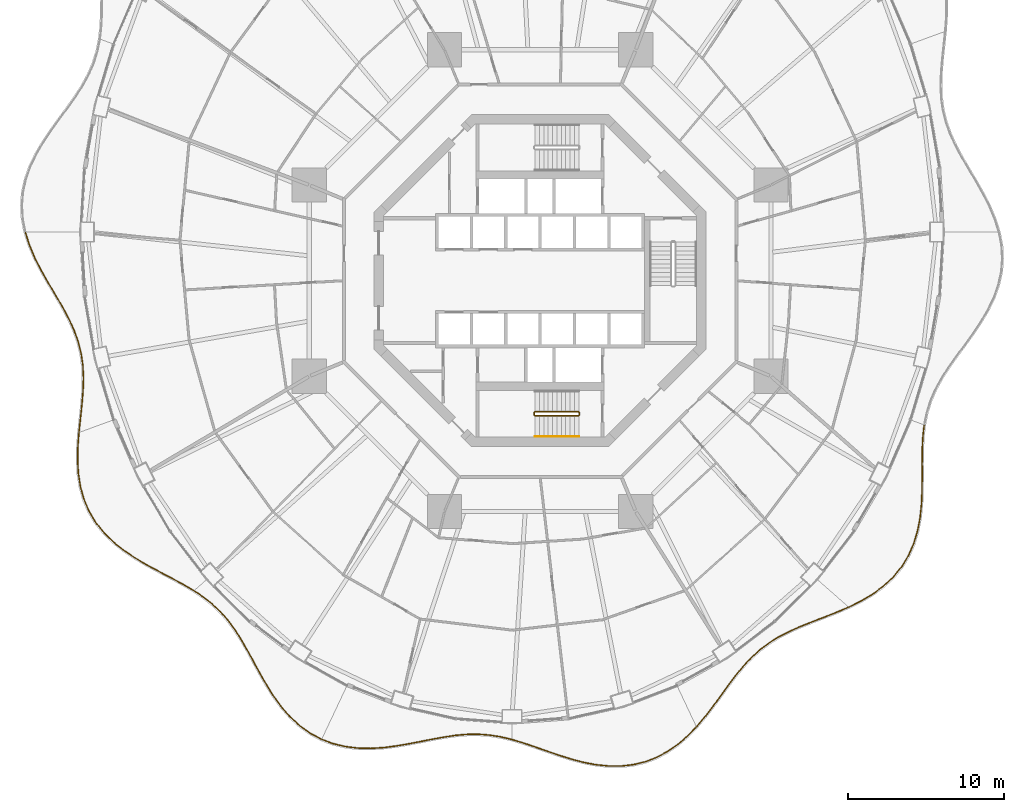
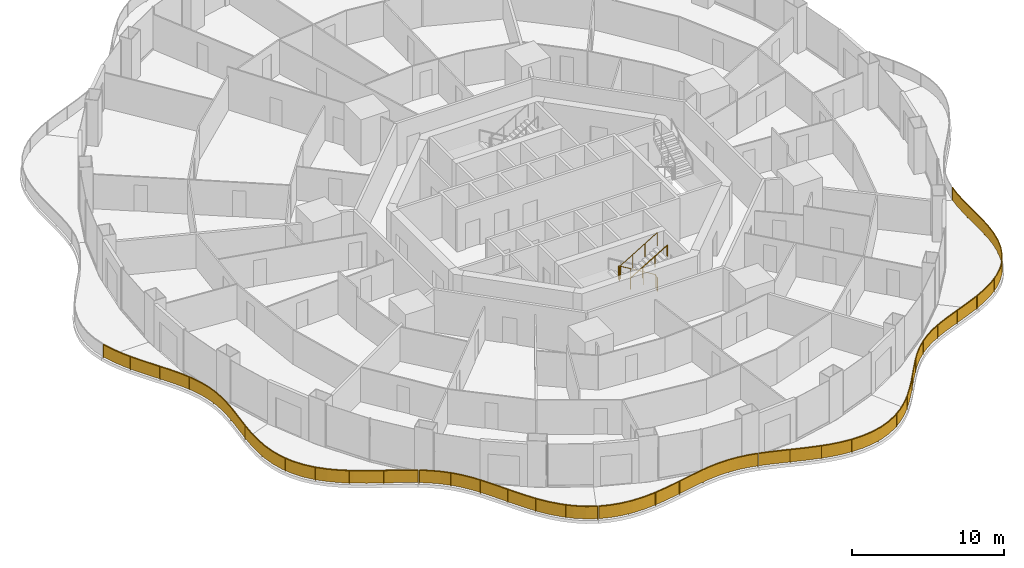
# One storey, part 20 of 22: 9 railings.
"""IFC4 building model written with IfcOpenShell, lengths in metres."""

import ifcopenshell
import ifcopenshell.guid

model = None  # the IFC model being written
_history = None  # IfcOwnerHistory: only IFC2X3 demands one
_inside = {}  # id of a spatial element -> (the spatial element, [elements in it])
_under = {}  # id of a project, library or spatial element -> (it, [spatial elements below it])
_declared = {}  # id of a project -> (the project, [libraries it declares])
_typed = {}  # id of a type object -> (the type object, [elements of that type])
_made_of = {}  # id of a material, layer set ... -> (it, [elements and type objects made of it])


def new_model(schema):
    """Start an empty IFC model of exactly this schema.

    Asked for "IFC4X3", IfcOpenShell would pick the latest addendum, in which some entities
    have other attributes; the version numbers below select the first issue.
    IFC2X3 requires an IfcOwnerHistory on every rooted entity: one is made here for all.
    """
    global model, _history
    if schema == "IFC4X3":
        model = ifcopenshell.file(schema_version=(4, 3, 0, 0))
    else:
        model = ifcopenshell.file(schema=schema)
    _inside.clear()
    _under.clear()
    _declared.clear()
    _typed.clear()
    _made_of.clear()
    _history = None
    if model.schema == "IFC2X3":
        org = make("IfcOrganization", Name="unknown")
        user = make(
            "IfcPersonAndOrganization",
            ThePerson=make("IfcPerson", FamilyName="unknown"),
            TheOrganization=org,
        )
        app = make(
            "IfcApplication",
            ApplicationDeveloper=org,
            Version="unknown",
            ApplicationFullName="unknown",
            ApplicationIdentifier="unknown",
        )
        _history = make(
            "IfcOwnerHistory",
            OwningUser=user,
            OwningApplication=app,
            ChangeAction="ADDED",
            CreationDate=0,
        )
    return model


def make(cls, **values):
    """One entity of the class cls with the attributes given. An attribute that is None is left unset."""
    return model.create_entity(
        cls, **{name: value for name, value in values.items() if value is not None}
    )


def rooted(cls, **values):
    """An entity with a GlobalId (a new one), such as an element, a storey or a relation."""
    return make(cls, GlobalId=ifcopenshell.guid.new(), OwnerHistory=_history, **values)


def si_unit(unit_type, name, prefix=None):
    """IfcSIUnit, for example si_unit("LENGTHUNIT", "METRE", prefix="MILLI")."""
    return make("IfcSIUnit", UnitType=unit_type, Prefix=prefix, Name=name)


def assignment(units):
    """IfcUnitAssignment: the units of a project."""
    return None if units is None else make("IfcUnitAssignment", Units=units)


def point(xyz):
    """IfcCartesianPoint."""
    return None if xyz is None else make("IfcCartesianPoint", Coordinates=xyz)


def direction(xyz):
    """IfcDirection."""
    return None if xyz is None else make("IfcDirection", DirectionRatios=xyz)


def frame(location, z_axis=None, x_axis=None):
    """IfcAxis2Placement3D, a coordinate frame: its origin and axes. An axis left out is left unset."""
    return make(
        "IfcAxis2Placement3D",
        Location=point(location),
        Axis=direction(z_axis),
        RefDirection=direction(x_axis),
    )


def frame_2d(location, x_axis=None):
    """IfcAxis2Placement2D, a coordinate frame in the plane: its origin and x axis."""
    return make(
        "IfcAxis2Placement2D", Location=point(location), RefDirection=direction(x_axis)
    )


def origin():
    """The frame at (0, 0, 0) with its axes left unset."""
    return frame((0.0, 0.0, 0.0))


def origin_2d():
    """The frame at (0, 0) in the plane with its x axis left unset."""
    return frame_2d((0.0, 0.0))


def place(relative_to, where):
    """IfcLocalPlacement: puts the frame where relative to a parent placement (None: the world)."""
    return make(
        "IfcLocalPlacement", PlacementRelTo=relative_to, RelativePlacement=where
    )


def context(
    kind, dimensions, precision=None, world=None, true_north=None, identifier=None
):
    """IfcGeometricRepresentationContext, for example the 3D "Model" context."""
    return make(
        "IfcGeometricRepresentationContext",
        ContextIdentifier=identifier,
        ContextType=kind,
        CoordinateSpaceDimension=dimensions,
        Precision=precision,
        WorldCoordinateSystem=world,
        TrueNorth=true_north,
    )


def subcontext(parent, identifier, kind, view, scale=None):
    """IfcGeometricRepresentationSubContext, for example "Body" below "Model"."""
    return make(
        "IfcGeometricRepresentationSubContext",
        ContextIdentifier=identifier,
        ContextType=kind,
        ParentContext=parent,
        TargetScale=scale,
        TargetView=view,
    )


def project(units=None, contexts=None):
    """IfcProject with its units and contexts."""
    return rooted(
        "IfcProject",
        Name="project",
        RepresentationContexts=contexts,
        UnitsInContext=assignment(units),
    )


def spatial(cls, under=None, at=None, **own):
    """A site, building, storey or space (cls), placed at a placement, below another one or the project."""
    s = rooted(cls, ObjectPlacement=at, **own)
    if under is not None:
        _under.setdefault(under.id(), (under, []))[1].append(s)
    return s


def polyline(points):
    """IfcPolyline through the points."""
    return make("IfcPolyline", Points=[point(p) for p in points])


def profile(cls, at=None, kind="AREA", **sizes):
    """A parametric profile (cls). Its sizes go by their IFC names, for example OverallWidth=200.0."""
    return make(cls, ProfileType=kind, Position=at, **sizes)


def rectangle(**sizes):
    """IfcRectangleProfileDef."""
    return profile("IfcRectangleProfileDef", **sizes)


def circle(**sizes):
    """IfcCircleProfileDef."""
    return profile("IfcCircleProfileDef", **sizes)


def outline(outer, holes=None, kind="AREA"):
    """IfcArbitraryClosedProfileDef: a profile drawn as a closed curve; with holes, ...WithVoids."""
    if holes is None:
        return make("IfcArbitraryClosedProfileDef", ProfileType=kind, OuterCurve=outer)
    return make(
        "IfcArbitraryProfileDefWithVoids",
        ProfileType=kind,
        OuterCurve=outer,
        InnerCurves=holes,
    )


def extrude(swept, where, along, depth):
    """IfcExtrudedAreaSolid: the profile swept, set in the frame where, extruded along a direction by depth."""
    return make(
        "IfcExtrudedAreaSolid",
        SweptArea=swept,
        Position=where,
        ExtrudedDirection=direction(along),
        Depth=depth,
    )


def shape(context_of_items, identifier, shape_type, items):
    """IfcShapeRepresentation: the items that make up one representation, for example the "Body"."""
    return make(
        "IfcShapeRepresentation",
        ContextOfItems=context_of_items,
        RepresentationIdentifier=identifier,
        RepresentationType=shape_type,
        Items=items,
    )


def material(Name=None, Category=None):
    """IfcMaterial."""
    return make("IfcMaterial", Name=Name, Category=Category)


def made_of(thing, what):
    """Note that an element or type object is made of a material, layer set ...; save() writes the relation."""
    if what is not None:
        _made_of.setdefault(what.id(), (what, []))[1].append(thing)
    return thing


def type_object(cls, material=None, **own):
    """A type object (cls), such as IfcWallType, which elements share."""
    return made_of(rooted(cls, **own), material)


def element(
    cls,
    number,
    at=None,
    inside=None,
    cuts=None,
    type_object=None,
    material=None,
    context=None,
    identifier="Body",
    shape_type=None,
    held_by="IfcProductDefinitionShape",
    body=None,
    shapes=None,
    **own,
):
    """One element of the class cls, such as IfcWall. Its Tag is "e" and its number.

    at: its placement. inside: the storey or other place that contains it. cuts: it is an
    opening in that element (IfcRelVoidsElement). A single representation is given by context,
    identifier, shape_type and body (its items); several are given by shapes. held_by: the class
    of the entity that holds the representations. save() writes the other relations.
    """
    e = rooted(cls, Tag="e%d" % number, ObjectPlacement=at, **own)
    if body is not None:
        shapes = [shape(context, identifier, shape_type, body)]
    if shapes is not None:
        e.Representation = make(held_by, Representations=shapes)
    if inside is not None:
        _inside.setdefault(inside.id(), (inside, []))[1].append(e)
    if cuts is not None:
        rooted(
            "IfcRelVoidsElement", RelatingBuildingElement=cuts, RelatedOpeningElement=e
        )
    if type_object is not None:
        _typed.setdefault(type_object.id(), (type_object, []))[1].append(e)
    return made_of(e, material)


def aggregate(whole, parts):
    """IfcRelAggregates: a whole, such as a stair, and the parts it consists of."""
    return rooted("IfcRelAggregates", RelatingObject=whole, RelatedObjects=parts)


def save(model, path):
    """Write the relations noted so far, then the file.

    IfcRelAggregates (storeys below a building ...), IfcRelContainedInSpatialStructure (elements
    in a storey), IfcRelDefinesByType, IfcRelAssociatesMaterial and IfcRelDeclares: one each for
    every whole, place, type object, material and project.
    """
    for whole, parts in _under.values():
        aggregate(whole, parts)
    for where, things in _inside.values():
        rooted(
            "IfcRelContainedInSpatialStructure",
            RelatedElements=things,
            RelatingStructure=where,
        )
    for kind, things in _typed.values():
        rooted("IfcRelDefinesByType", RelatedObjects=things, RelatingType=kind)
    for what, things in _made_of.values():
        rooted("IfcRelAssociatesMaterial", RelatedObjects=things, RelatingMaterial=what)
    for by, libraries in _declared.values():
        rooted("IfcRelDeclares", RelatingContext=by, RelatedDefinitions=libraries)
    model.write(path)


model = new_model("IFC4")

# Units and contexts
model_context = context("Model", 3, precision=1e-05, world=origin(), true_north=direction((0.0, 1.0)))
body_context = subcontext(model_context, "Body", "Model", "MODEL_VIEW")
ifc_project = project(units=[si_unit("LENGTHUNIT", "METRE"), si_unit("AREAUNIT", "SQUARE_METRE"), si_unit("VOLUMEUNIT", "CUBIC_METRE"), si_unit("PLANEANGLEUNIT", "RADIAN"), si_unit("MASSUNIT", "GRAM", prefix="KILO")], contexts=[model_context])

# Site, building, storey
site_placement = place(None, origin())
site = spatial("IfcSite", under=ifc_project, at=site_placement, CompositionType="ELEMENT")
building_placement = place(site_placement, origin())
building = spatial("IfcBuilding", under=site, at=building_placement, Name="Nagisa Residences", CompositionType="ELEMENT")
storey_placement = place(building_placement, frame((0.0, 0.0, 88.10009765625)))
storey = spatial("IfcBuildingStorey", under=building, at=storey_placement, Name="L21", CompositionType="ELEMENT", Elevation=88.10009765625)

# Railings
ifc_material_1 = material(Name="Stainless steel 316", Category="steel")
railing_type_1 = type_object("IfcRailingType", Name="BALCONY GUARD 1100", PredefinedType="BALUSTRADE", material=ifc_material_1)
railing_1_placement = place(storey_placement, frame((-32.95654296875, 3.080810546875, 0.0)))
element("IfcRailing", 1, at=railing_1_placement, inside=storey, type_object=railing_type_1, Name="guard:L21:bal08-0", PredefinedType="BALUSTRADE", context=body_context, shape_type="SweptSolid", body=[
    extrude(outline(polyline([(0.277099609375, -0.7880859375), (0.02392578125, 0.007568359375), (-0.02392578125, -0.007568359375), (0.230224609375, -0.8056640625), (0.58056640625, -1.6337890625), (0.99267578125, -2.444091796875), (1.44091796875, -3.23486328125), (1.89892578125, -4.00830078125), (2.339111328125, -4.7529296875), (2.741455078125, -5.502197265625), (3.085205078125, -6.248291015625), (3.3564453125, -6.998779296875), (3.547607421875, -7.76123046875), (3.65478515625, -8.528564453125), (3.690673828125, -9.333740234375), (3.6640625, -10.16552734375), (3.592529296875, -11.024169921875), (3.497802734375, -11.90673828125), (3.4072265625, -12.762451171875), (3.45703125, -12.767822265625), (3.547607421875, -11.912109375), (3.642333984375, -11.029052734375), (3.7138671875, -10.16845703125), (3.740966796875, -9.333251953125), (3.70458984375, -8.524169921875), (3.596923828125, -7.75146484375), (3.404296875, -6.984130859375), (3.131591796875, -6.229248046875), (2.786376953125, -5.479736328125), (2.382568359375, -4.728515625), (1.94189453125, -3.98291015625), (1.484375, -3.2099609375), (1.03662109375, -2.420166015625), (0.6259765625, -1.61279296875), (0.277099609375, -0.7880859375)])), frame((0.0, 0.0, 1.050048828125)), (0.0, 0.0, 1.0), 0.050048828125),
    extrude(outline(polyline([(0.26025390625, -0.79443359375), (0.006591796875, 0.002197265625), (-0.006591796875, -0.002197265625), (0.2470703125, -0.79931640625), (0.596923828125, -1.626220703125), (1.008544921875, -2.435546875), (1.45654296875, -3.225830078125), (1.914306640625, -3.999267578125), (2.354736328125, -4.744140625), (2.757568359375, -5.494140625), (3.101806640625, -6.241455078125), (3.373779296875, -6.993408203125), (3.5654296875, -7.757568359375), (3.672607421875, -8.527099609375), (3.708740234375, -9.33349609375), (3.681884765625, -10.16650390625), (3.6103515625, -11.02587890625), (3.515625, -11.90869140625), (3.425048828125, -12.764404296875), (3.439208984375, -12.765869140625), (3.52978515625, -11.91015625), (3.62451171875, -11.02734375), (3.696044921875, -10.16748046875), (3.722900390625, -9.33349609375), (3.686767578125, -8.525634765625), (3.5791015625, -7.755126953125), (3.386962890625, -6.989501953125), (3.114990234375, -6.236083984375), (2.770263671875, -5.48779296875), (2.366943359375, -4.7373046875), (1.926513671875, -3.991943359375), (1.46875, -3.218994140625), (1.020751953125, -2.4287109375), (0.609619140625, -1.620361328125), (0.26025390625, -0.79443359375)])), frame((0.0, 0.0, 0.06005859375)), (0.0, 0.0, 1.0), 0.989990234375),
    extrude(rectangle(XDim=0.0400390625, YDim=0.0400390625, at=origin_2d()), origin(), (0.0, 0.0, 1.0), 1.050048828125),
    extrude(rectangle(XDim=0.0400390625, YDim=0.0400390625, at=origin_2d()), frame((0.845458984375, -2.099609375, 0.0)), (0.0, 0.0, 1.0), 1.050048828125),
    extrude(rectangle(XDim=0.0400390625, YDim=0.0400390625, at=origin_2d()), frame((1.965087890625, -4.0712890625, 0.0)), (0.0, 0.0, 1.0), 1.050048828125),
    extrude(rectangle(XDim=0.0400390625, YDim=0.0400390625, at=origin_2d()), frame((3.03125, -6.071044921875, 0.0)), (0.0, 0.0, 1.0), 1.050048828125),
    extrude(rectangle(XDim=0.0400390625, YDim=0.0400390625, at=origin_2d()), frame((3.640625, -8.24609375, 0.0)), (0.0, 0.0, 1.0), 1.050048828125),
    extrude(rectangle(XDim=0.0400390625, YDim=0.0400390625, at=origin_2d()), frame((3.660400390625, -10.5087890625, 0.0)), (0.0, 0.0, 1.0), 1.050048828125),
    extrude(rectangle(XDim=0.0400390625, YDim=0.0400390625, at=origin_2d()), frame((3.43212890625, -12.76513671875, 0.0)), (0.0, 0.0, 1.0), 1.050048828125),
])
railing_2_placement = place(storey_placement, frame((-29.53271484375, -9.760498046875, 0.0)))
element("IfcRailing", 2, at=railing_2_placement, inside=storey, type_object=railing_type_1, Name="guard:L21:bal09-0", PredefinedType="BALUSTRADE", context=body_context, shape_type="SweptSolid", body=[
    extrude(outline(polyline([(-0.039306640625, -0.837890625), (0.02490234375, -0.001953125), (-0.02490234375, 0.001953125), (-0.089111328125, -0.83544921875), (-0.107421875, -1.717529296875), (-0.058349609375, -2.58837890625), (0.073974609375, -3.436767578125), (0.30078125, -4.2509765625), (0.621826171875, -5.00830078125), (1.05078125, -5.727294921875), (1.575927734375, -6.389404296875), (2.1865234375, -6.992431640625), (2.867431640625, -7.53857421875), (3.593017578125, -8.020751953125), (4.359130859375, -8.472900390625), (5.137451171875, -8.89453125), (5.907958984375, -9.299560546875), (6.6533203125, -9.703125), (7.322998046875, -10.097412109375), (7.348388671875, -10.054443359375), (6.677734375, -9.65966796875), (5.931396484375, -9.255615234375), (5.160888671875, -8.8505859375), (4.383544921875, -8.429443359375), (3.619384765625, -7.978271484375), (2.897216796875, -7.498046875), (2.2197265625, -6.954833984375), (1.613037109375, -6.355712890625), (1.09228515625, -5.698974609375), (0.666748046875, -4.98583984375), (0.34814453125, -4.234375), (0.122802734375, -3.426025390625), (-0.008544921875, -2.5830078125), (-0.05712890625, -1.716552734375), (-0.039306640625, -0.837890625)])), frame((0.0, 0.0, 1.050048828125)), (0.0, 0.0, 1.0), 0.050048828125),
    extrude(outline(polyline([(-0.05712890625, -0.8369140625), (0.007080078125, -0.00048828125), (-0.007080078125, 0.00048828125), (-0.0712890625, -0.83642578125), (-0.08935546875, -1.71728515625), (-0.04052734375, -2.58642578125), (0.091552734375, -3.432861328125), (0.31787109375, -4.244873046875), (0.637939453125, -5.000244140625), (1.065673828125, -5.717041015625), (1.58935546875, -6.377197265625), (2.198486328125, -6.978759765625), (2.878173828125, -7.52392578125), (3.6025390625, -8.00537109375), (4.367919921875, -8.457275390625), (5.14599609375, -8.878662109375), (5.91650390625, -9.28369140625), (6.662109375, -9.6875), (7.33203125, -10.08203125), (7.33935546875, -10.06982421875), (6.6689453125, -9.67529296875), (5.9228515625, -9.271484375), (5.15234375, -8.866455078125), (4.374755859375, -8.445068359375), (3.60986328125, -7.99365234375), (2.886474609375, -7.5126953125), (2.207763671875, -6.968505859375), (1.599609375, -6.367919921875), (1.077392578125, -5.709228515625), (0.650634765625, -4.993896484375), (0.3310546875, -4.240478515625), (0.105224609375, -3.429931640625), (-0.0263671875, -2.5849609375), (-0.0751953125, -1.716796875), (-0.05712890625, -0.8369140625)])), frame((0.0, 0.0, 0.06005859375)), (0.0, 0.0, 1.0), 0.989990234375),
    extrude(rectangle(XDim=0.0400390625, YDim=0.0400390625, at=origin_2d()), origin(), (0.0, 0.0, 1.0), 1.050048828125),
    extrude(rectangle(XDim=0.0400390625, YDim=0.0400390625, at=origin_2d()), frame((-0.051025390625, -2.27099609375, 0.0)), (0.0, 0.0, 1.0), 1.050048828125),
    extrude(rectangle(XDim=0.0400390625, YDim=0.0400390625, at=origin_2d()), frame((0.426513671875, -4.483154296875, 0.0)), (0.0, 0.0, 1.0), 1.050048828125),
    extrude(rectangle(XDim=0.0400390625, YDim=0.0400390625, at=origin_2d()), frame((1.623779296875, -6.4013671875, 0.0)), (0.0, 0.0, 1.0), 1.050048828125),
    extrude(rectangle(XDim=0.0400390625, YDim=0.0400390625, at=origin_2d()), frame((3.373291015625, -7.8447265625, 0.0)), (0.0, 0.0, 1.0), 1.050048828125),
    extrude(rectangle(XDim=0.0400390625, YDim=0.0400390625, at=origin_2d()), frame((5.345458984375, -8.975830078125, 0.0)), (0.0, 0.0, 1.0), 1.050048828125),
    extrude(rectangle(XDim=0.0400390625, YDim=0.0400390625, at=origin_2d()), frame((7.335693359375, -10.075927734375, 0.0)), (0.0, 0.0, 1.0), 1.050048828125),
])
railing_3_placement = place(storey_placement, frame((-22.134765625, -19.873291015625, 0.0)))
element("IfcRailing", 3, at=railing_3_placement, inside=storey, type_object=railing_type_1, Name="guard:L21:bal10-0", PredefinedType="BALUSTRADE", context=body_context, shape_type="SweptSolid", body=[
    extrude(outline(polyline([(0.607421875, -0.37890625), (0.013916015625, 0.020751953125), (-0.013916015625, -0.020751953125), (0.57763671875, -0.41943359375), (1.1552734375, -0.87890625), (1.682861328125, -1.3828125), (2.1640625, -1.935302734375), (2.605712890625, -2.53857421875), (3.006103515625, -3.178955078125), (3.401611328125, -3.87060546875), (3.7939453125, -4.5927734375), (4.1962890625, -5.33154296875), (4.622314453125, -6.070556640625), (5.070556640625, -6.783203125), (5.577392578125, -7.468505859375), (6.13671875, -8.099853515625), (6.7509765625, -8.661376953125), (7.42138671875, -9.139404296875), (8.1005859375, -9.501708984375), (8.1240234375, -9.457763671875), (7.44775390625, -9.096923828125), (6.78271484375, -8.622314453125), (6.17236328125, -8.064697265625), (5.616455078125, -7.436767578125), (5.112060546875, -6.7548828125), (4.665283203125, -6.044677734375), (4.23974609375, -5.30712890625), (3.837890625, -4.56884765625), (3.445556640625, -3.84619140625), (3.049072265625, -3.153076171875), (2.647216796875, -2.51025390625), (2.203125, -1.904052734375), (1.718994140625, -1.34814453125), (1.18798828125, -0.84130859375), (0.607421875, -0.37890625)])), frame((0.0, 0.0, 1.050048828125)), (0.0, 0.0, 1.0), 0.050048828125),
    extrude(outline(polyline([(0.5966796875, -0.3935546875), (0.00390625, 0.005859375), (-0.00390625, -0.005859375), (0.58837890625, -0.40478515625), (1.1669921875, -0.865478515625), (1.69580078125, -1.370361328125), (2.17822265625, -1.924072265625), (2.62060546875, -2.5283203125), (3.021484375, -3.169677734375), (3.41748046875, -3.86181640625), (3.809814453125, -4.584228515625), (4.2119140625, -5.32275390625), (4.6376953125, -6.061279296875), (5.08544921875, -6.77294921875), (5.591552734375, -7.45703125), (6.149658203125, -8.087158203125), (6.762451171875, -8.647216796875), (7.430908203125, -9.1240234375), (8.109130859375, -9.48583984375), (8.115478515625, -9.4736328125), (7.438232421875, -9.1123046875), (6.771240234375, -8.636474609375), (6.159423828125, -8.077392578125), (5.602294921875, -7.4482421875), (5.09716796875, -6.76513671875), (4.64990234375, -6.053955078125), (4.22412109375, -5.31591796875), (3.822021484375, -4.577392578125), (3.4296875, -3.85498046875), (3.03369140625, -3.162353515625), (2.63232421875, -2.5205078125), (2.18896484375, -1.915283203125), (1.7060546875, -1.360595703125), (1.17626953125, -0.854736328125), (0.5966796875, -0.3935546875)])), frame((0.0, 0.0, 0.06005859375)), (0.0, 0.0, 1.0), 0.989990234375),
    extrude(rectangle(XDim=0.0400390625, YDim=0.0400390625, at=origin_2d()), origin(), (0.0, 0.0, 1.0), 1.050048828125),
    extrude(rectangle(XDim=0.0400390625, YDim=0.0400390625, at=origin_2d()), frame((1.649169921875, -1.316162109375, 0.0)), (0.0, 0.0, 1.0), 1.050048828125),
    extrude(rectangle(XDim=0.0400390625, YDim=0.0400390625, at=origin_2d()), frame((2.9228515625, -2.99853515625, 0.0)), (0.0, 0.0, 1.0), 1.050048828125),
    extrude(rectangle(XDim=0.0400390625, YDim=0.0400390625, at=origin_2d()), frame((3.958251953125, -4.84228515625, 0.0)), (0.0, 0.0, 1.0), 1.050048828125),
    extrude(rectangle(XDim=0.0400390625, YDim=0.0400390625, at=origin_2d()), frame((5.02685546875, -6.666748046875, 0.0)), (0.0, 0.0, 1.0), 1.050048828125),
    extrude(rectangle(XDim=0.0400390625, YDim=0.0400390625, at=origin_2d()), frame((6.378173828125, -8.28662109375, 0.0)), (0.0, 0.0, 1.0), 1.050048828125),
    extrude(rectangle(XDim=0.0400390625, YDim=0.0400390625, at=origin_2d()), frame((8.1123046875, -9.479736328125, 0.0)), (0.0, 0.0, 1.0), 1.050048828125),
])
railing_4_placement = place(storey_placement, frame((-13.951904296875, -29.385009765625, 0.0)))
element("IfcRailing", 4, at=railing_4_placement, inside=storey, type_object=railing_type_1, Name="guard:L21:bal11-0", PredefinedType="BALUSTRADE", context=body_context, shape_type="SweptSolid", body=[
    extrude(outline(polyline([(0.700439453125, -0.236572265625), (0.0087890625, 0.0234375), (-0.0087890625, -0.0234375), (0.685791015625, -0.284423828125), (1.46142578125, -0.471435546875), (2.263427734375, -0.570556640625), (3.08251953125, -0.5908203125), (3.9091796875, -0.542724609375), (4.717041015625, -0.4365234375), (5.53271484375, -0.299560546875), (6.33349609375, -0.144775390625), (7.114990234375, 0.009765625), (7.876220703125, 0.146484375), (8.600341796875, 0.252685546875), (9.32421875, 0.310791015625), (10.035888671875, 0.314453125), (10.74072265625, 0.259521484375), (11.444580078125, 0.145263671875), (12.111328125, -0.013916015625), (12.123046875, 0.034912109375), (11.454345703125, 0.194580078125), (10.74658203125, 0.309326171875), (10.037841796875, 0.36474609375), (9.322265625, 0.360595703125), (8.594482421875, 0.302490234375), (7.868408203125, 0.19580078125), (7.105712890625, 0.05908203125), (6.32373046875, -0.095458984375), (5.52392578125, -0.250244140625), (4.709716796875, -0.38720703125), (3.904296875, -0.492919921875), (3.08154296875, -0.54052734375), (2.267333984375, -0.520751953125), (1.47021484375, -0.422119140625), (0.700439453125, -0.236572265625)])), frame((0.0, 0.0, 1.050048828125)), (0.0, 0.0, 1.0), 0.050048828125),
    extrude(outline(polyline([(0.695068359375, -0.25390625), (0.00244140625, 0.006591796875), (-0.00244140625, -0.006591796875), (0.691162109375, -0.26708984375), (1.464599609375, -0.45361328125), (2.264892578125, -0.552734375), (3.08203125, -0.57275390625), (3.907470703125, -0.52490234375), (4.71435546875, -0.418701171875), (5.529541015625, -0.28173828125), (6.330078125, -0.126953125), (7.111572265625, 0.027587890625), (7.87353515625, 0.164306640625), (8.59814453125, 0.2705078125), (9.323486328125, 0.32861328125), (10.03662109375, 0.33251953125), (10.742919921875, 0.277587890625), (11.447998046875, 0.1630859375), (12.115478515625, 0.003662109375), (12.118896484375, 0.017333984375), (11.450927734375, 0.1767578125), (10.744384765625, 0.291259765625), (10.037109375, 0.3466796875), (9.322998046875, 0.3427734375), (8.5966796875, 0.28466796875), (7.87109375, 0.177978515625), (7.109130859375, 0.041259765625), (6.3271484375, -0.11328125), (5.527099609375, -0.26806640625), (4.71240234375, -0.405029296875), (3.906005859375, -0.5107421875), (3.08203125, -0.55859375), (2.265869140625, -0.53857421875), (1.467041015625, -0.43994140625), (0.695068359375, -0.25390625)])), frame((0.0, 0.0, 0.06005859375)), (0.0, 0.0, 1.0), 0.989990234375),
    extrude(rectangle(XDim=0.0400390625, YDim=0.0400390625, at=origin_2d()), origin(), (0.0, 0.0, 1.0), 1.050048828125),
    extrude(rectangle(XDim=0.0400390625, YDim=0.0400390625, at=origin_2d()), frame((1.975830078125, -0.509765625, 0.0)), (0.0, 0.0, 1.0), 1.050048828125),
    extrude(rectangle(XDim=0.0400390625, YDim=0.0400390625, at=origin_2d()), frame((4.020263671875, -0.5029296875, 0.0)), (0.0, 0.0, 1.0), 1.050048828125),
    extrude(rectangle(XDim=0.0400390625, YDim=0.0400390625, at=origin_2d()), frame((6.04248046875, -0.175537109375, 0.0)), (0.0, 0.0, 1.0), 1.050048828125),
    extrude(rectangle(XDim=0.0400390625, YDim=0.0400390625, at=origin_2d()), frame((8.05712890625, 0.1982421875, 0.0)), (0.0, 0.0, 1.0), 1.050048828125),
    extrude(rectangle(XDim=0.0400390625, YDim=0.0400390625, at=origin_2d()), frame((10.097900390625, 0.334716796875, 0.0)), (0.0, 0.0, 1.0), 1.050048828125),
    extrude(rectangle(XDim=0.0400390625, YDim=0.0400390625, at=origin_2d()), frame((12.1171875, 0.010498046875, 0.0)), (0.0, 0.0, 1.0), 1.050048828125),
])
railing_5_placement = place(storey_placement, frame((-1.765869140625, -29.395263671875, 0.0)))
element("IfcRailing", 5, at=railing_5_placement, inside=storey, type_object=railing_type_1, Name="guard:L21:bal12-0", PredefinedType="BALUSTRADE", context=body_context, shape_type="SweptSolid", body=[
    extrude(outline(polyline([(0.6865234375, -0.179931640625), (0.007080078125, 0.02392578125), (-0.007080078125, -0.02392578125), (0.67138671875, -0.227783203125), (1.408203125, -0.475830078125), (2.162841796875, -0.741943359375), (2.936767578125, -1.008056640625), (3.72802734375, -1.255859375), (4.515869140625, -1.46875), (5.330078125, -1.6240234375), (6.14599609375, -1.7080078125), (6.95556640625, -1.709228515625), (7.75, -1.61767578125), (8.50439453125, -1.434814453125), (9.244384765625, -1.14990234375), (9.947021484375, -0.77294921875), (10.608642578125, -0.31201171875), (11.22705078125, 0.220458984375), (11.768798828125, 0.7783203125), (11.732666015625, 0.81298828125), (11.19287109375, 0.257080078125), (10.577880859375, -0.2724609375), (9.920654296875, -0.72998046875), (9.223388671875, -1.1044921875), (8.4892578125, -1.386962890625), (7.7412109375, -1.568359375), (6.95263671875, -1.658935546875), (6.1484375, -1.658203125), (5.33740234375, -1.57421875), (4.527099609375, -1.419921875), (3.7421875, -1.2080078125), (2.952392578125, -0.960693359375), (2.179443359375, -0.694580078125), (1.42431640625, -0.428466796875), (0.6865234375, -0.179931640625)])), frame((0.0, 0.0, 1.050048828125)), (0.0, 0.0, 1.0), 0.050048828125),
    extrude(outline(polyline([(0.68115234375, -0.197265625), (0.001953125, 0.006591796875), (-0.001953125, -0.006591796875), (0.6767578125, -0.21044921875), (1.4140625, -0.458740234375), (2.1689453125, -0.724853515625), (2.9423828125, -0.990966796875), (3.733154296875, -1.23876953125), (4.52001953125, -1.451171875), (5.332763671875, -1.60595703125), (6.14697265625, -1.690185546875), (6.95458984375, -1.691162109375), (7.746826171875, -1.599853515625), (8.4990234375, -1.41748046875), (9.23681640625, -1.133544921875), (9.9375, -0.75732421875), (10.59765625, -0.2978515625), (11.21484375, 0.233642578125), (11.755859375, 0.790771484375), (11.74560546875, 0.800537109375), (11.205078125, 0.243896484375), (10.5888671875, -0.28662109375), (9.93017578125, -0.74560546875), (9.23095703125, -1.120849609375), (8.49462890625, -1.404296875), (7.744384765625, -1.586181640625), (6.95361328125, -1.677001953125), (6.1474609375, -1.676025390625), (5.334716796875, -1.59228515625), (4.52294921875, -1.4375), (3.737060546875, -1.22509765625), (2.94677734375, -0.977783203125), (2.17333984375, -0.711669921875), (1.41845703125, -0.445556640625), (0.68115234375, -0.197265625)])), frame((0.0, 0.0, 0.06005859375)), (0.0, 0.0, 1.0), 0.989990234375),
    extrude(rectangle(XDim=0.0400390625, YDim=0.0400390625, at=origin_2d()), origin(), (0.0, 0.0, 1.0), 1.050048828125),
    extrude(rectangle(XDim=0.0400390625, YDim=0.0400390625, at=origin_2d()), frame((2.017578125, -0.6640625, 0.0)), (0.0, 0.0, 1.0), 1.050048828125),
    extrude(rectangle(XDim=0.0400390625, YDim=0.0400390625, at=origin_2d()), frame((4.03955078125, -1.314208984375, 0.0)), (0.0, 0.0, 1.0), 1.050048828125),
    extrude(rectangle(XDim=0.0400390625, YDim=0.0400390625, at=origin_2d()), frame((6.128173828125, -1.68115234375, 0.0)), (0.0, 0.0, 1.0), 1.050048828125),
    extrude(rectangle(XDim=0.0400390625, YDim=0.0400390625, at=origin_2d()), frame((8.233154296875, -1.474853515625, 0.0)), (0.0, 0.0, 1.0), 1.050048828125),
    extrude(rectangle(XDim=0.0400390625, YDim=0.0400390625, at=origin_2d()), frame((10.154541015625, -0.59765625, 0.0)), (0.0, 0.0, 1.0), 1.050048828125),
    extrude(rectangle(XDim=0.0400390625, YDim=0.0400390625, at=origin_2d()), frame((11.750732421875, 0.795654296875, 0.0)), (0.0, 0.0, 1.0), 1.050048828125),
])
railing_6_placement = place(storey_placement, frame((10.035888671875, -28.5419921875, 0.0)))
element("IfcRailing", 6, at=railing_6_placement, inside=storey, type_object=railing_type_1, Name="guard:L21:bal13-0", PredefinedType="BALUSTRADE", context=body_context, shape_type="SweptSolid", body=[
    extrude(outline(polyline([(0.505126953125, 0.634765625), (-0.01904296875, 0.01611328125), (0.01904296875, -0.01611328125), (0.544189453125, 0.603515625), (1.067138671875, 1.28076171875), (1.565185546875, 1.962646484375), (2.048828125, 2.630615234375), (2.53076171875, 3.26904296875), (3.0087890625, 3.8564453125), (3.522216796875, 4.40283203125), (4.067138671875, 4.89501953125), (4.6513671875, 5.333251953125), (5.279052734375, 5.721923828125), (5.939208984375, 6.05859375), (6.653076171875, 6.3759765625), (7.401611328125, 6.676025390625), (8.1748046875, 6.973876953125), (8.959716796875, 7.283935546875), (9.69873046875, 7.60009765625), (9.67919921875, 7.64599609375), (8.940673828125, 7.330322265625), (8.15673828125, 7.020263671875), (7.383544921875, 6.722412109375), (6.633544921875, 6.421875), (5.917724609375, 6.10400390625), (5.254638671875, 5.765380859375), (4.623046875, 5.374755859375), (4.035400390625, 4.93359375), (3.487060546875, 4.4384765625), (2.97119140625, 3.8896484375), (2.4912109375, 3.2998046875), (2.0087890625, 2.660400390625), (1.524658203125, 1.991943359375), (1.027099609375, 1.31103515625), (0.505126953125, 0.634765625)])), frame((0.0, 0.0, 1.050048828125)), (0.0, 0.0, 1.0), 0.050048828125),
    extrude(outline(polyline([(0.519287109375, 0.62353515625), (-0.00537109375, 0.004638671875), (0.00537109375, -0.004638671875), (0.530029296875, 0.61474609375), (1.052734375, 1.291748046875), (1.550537109375, 1.97314453125), (2.034423828125, 2.641357421875), (2.5166015625, 3.280029296875), (2.995361328125, 3.868408203125), (3.509521484375, 4.415771484375), (4.0556640625, 4.908935546875), (4.64111328125, 5.34814453125), (5.270263671875, 5.737548828125), (5.931396484375, 6.074951171875), (6.64599609375, 6.392578125), (7.39501953125, 6.692626953125), (8.168212890625, 6.990478515625), (8.952880859375, 7.300537109375), (9.691650390625, 7.61669921875), (9.686279296875, 7.62939453125), (8.947509765625, 7.313720703125), (8.163330078125, 7.003662109375), (7.39013671875, 6.705810546875), (6.640625, 6.4052734375), (5.925537109375, 6.087646484375), (5.263427734375, 5.749755859375), (4.63330078125, 5.35986328125), (4.046875, 4.919677734375), (3.499755859375, 4.425537109375), (2.984619140625, 3.877685546875), (2.50537109375, 3.288818359375), (2.023193359375, 2.649658203125), (1.539306640625, 1.9814453125), (1.04150390625, 1.300048828125), (0.519287109375, 0.62353515625)])), frame((0.0, 0.0, 0.06005859375)), (0.0, 0.0, 1.0), 0.989990234375),
    extrude(rectangle(XDim=0.0400390625, YDim=0.0400390625, at=origin_2d()), origin(), (0.0, 0.0, 1.0), 1.050048828125),
    extrude(rectangle(XDim=0.0400390625, YDim=0.0400390625, at=origin_2d()), frame((1.30908203125, 1.654541015625, 0.0)), (0.0, 0.0, 1.0), 1.050048828125),
    extrude(rectangle(XDim=0.0400390625, YDim=0.0400390625, at=origin_2d()), frame((2.56494140625, 3.3505859375, 0.0)), (0.0, 0.0, 1.0), 1.050048828125),
    extrude(rectangle(XDim=0.0400390625, YDim=0.0400390625, at=origin_2d()), frame((4.013427734375, 4.880126953125, 0.0)), (0.0, 0.0, 1.0), 1.050048828125),
    extrude(rectangle(XDim=0.0400390625, YDim=0.0400390625, at=origin_2d()), frame((5.789306640625, 6.01025390625, 0.0)), (0.0, 0.0, 1.0), 1.050048828125),
    extrude(rectangle(XDim=0.0400390625, YDim=0.0400390625, at=origin_2d()), frame((7.733154296875, 6.830322265625, 0.0)), (0.0, 0.0, 1.0), 1.050048828125),
    extrude(rectangle(XDim=0.0400390625, YDim=0.0400390625, at=origin_2d()), frame((9.68896484375, 7.623046875, 0.0)), (0.0, 0.0, 1.0), 1.050048828125),
])
railing_7_placement = place(storey_placement, frame((19.795166015625, -20.8876953125, 0.0)))
element("IfcRailing", 7, at=railing_7_placement, inside=storey, type_object=railing_type_1, Name="guard:L21:bal14-0", PredefinedType="BALUSTRADE", context=body_context, shape_type="SweptSolid", body=[
    extrude(outline(polyline([(0.744140625, 0.39453125), (-0.010986328125, 0.0224609375), (0.010986328125, -0.0224609375), (0.76806640625, 0.3505859375), (1.523681640625, 0.802001953125), (2.2197265625, 1.31689453125), (2.84033203125, 1.900146484375), (3.373291015625, 2.55078125), (3.804443359375, 3.255126953125), (4.146484375, 4.02880859375), (4.395263671875, 4.84912109375), (4.559326171875, 5.704833984375), (4.652587890625, 6.582275390625), (4.685791015625, 7.455322265625), (4.693359375, 8.33740234375), (4.68994140625, 9.20556640625), (4.697509765625, 10.05078125), (4.737060546875, 10.8681640625), (4.820556640625, 11.61328125), (4.770751953125, 11.61865234375), (4.687255859375, 10.8720703125), (4.647705078125, 10.05224609375), (4.6396484375, 9.20556640625), (4.64306640625, 8.33740234375), (4.635986328125, 7.456298828125), (4.602783203125, 6.585693359375), (4.510009765625, 5.712158203125), (4.346435546875, 4.861328125), (4.099609375, 4.04638671875), (3.760009765625, 3.278564453125), (3.332275390625, 2.580078125), (2.8037109375, 1.934326171875), (2.1875, 1.35546875), (1.495849609375, 0.843505859375), (0.744140625, 0.39453125)])), frame((0.0, 0.0, 1.050048828125)), (0.0, 0.0, 1.0), 0.050048828125),
    extrude(outline(polyline([(0.752685546875, 0.378662109375), (-0.003173828125, 0.00634765625), (0.003173828125, -0.00634765625), (0.759521484375, 0.366455078125), (1.513671875, 0.81689453125), (2.2080078125, 1.330810546875), (2.8271484375, 1.912353515625), (3.3583984375, 2.561279296875), (3.788330078125, 3.263671875), (4.129638671875, 4.03515625), (4.377685546875, 4.853515625), (4.54150390625, 5.70751953125), (4.634765625, 6.58349609375), (4.66796875, 7.45556640625), (4.67529296875, 8.33740234375), (4.671875, 9.20556640625), (4.6796875, 10.05126953125), (4.71923828125, 10.86962890625), (4.802490234375, 11.615234375), (4.788818359375, 11.61669921875), (4.705078125, 10.87060546875), (4.66552734375, 10.0517578125), (4.65771484375, 9.20556640625), (4.6611328125, 8.33740234375), (4.65380859375, 7.4560546875), (4.62060546875, 6.58447265625), (4.52783203125, 5.70947265625), (4.364013671875, 4.85693359375), (4.116455078125, 4.0400390625), (3.776123046875, 3.27001953125), (3.34716796875, 2.569580078125), (2.81689453125, 1.922119140625), (2.19921875, 1.341552734375), (1.505859375, 0.82861328125), (0.752685546875, 0.378662109375)])), frame((0.0, 0.0, 0.06005859375)), (0.0, 0.0, 1.0), 0.989990234375),
    extrude(rectangle(XDim=0.0400390625, YDim=0.0400390625, at=origin_2d()), origin(), (0.0, 0.0, 1.0), 1.050048828125),
    extrude(rectangle(XDim=0.0400390625, YDim=0.0400390625, at=origin_2d()), frame((1.945556640625, 1.145263671875, 0.0)), (0.0, 0.0, 1.0), 1.050048828125),
    extrude(rectangle(XDim=0.0400390625, YDim=0.0400390625, at=origin_2d()), frame((3.486083984375, 2.783447265625, 0.0)), (0.0, 0.0, 1.0), 1.050048828125),
    extrude(rectangle(XDim=0.0400390625, YDim=0.0400390625, at=origin_2d()), frame((4.37060546875, 4.854248046875, 0.0)), (0.0, 0.0, 1.0), 1.050048828125),
    extrude(rectangle(XDim=0.0400390625, YDim=0.0400390625, at=origin_2d()), frame((4.647216796875, 7.09619140625, 0.0)), (0.0, 0.0, 1.0), 1.050048828125),
    extrude(rectangle(XDim=0.0400390625, YDim=0.0400390625, at=origin_2d()), frame((4.666259765625, 9.358642578125, 0.0)), (0.0, 0.0, 1.0), 1.050048828125),
    extrude(rectangle(XDim=0.0400390625, YDim=0.0400390625, at=origin_2d()), frame((4.795654296875, 11.615966796875, 0.0)), (0.0, 0.0, 1.0), 1.050048828125),
])
ifc_material_2 = material(Name="Stainless steel", Category="steel")
railing_type_2 = type_object("IfcRailingType", Name="Stair guard 1100", PredefinedType="GUARDRAIL", material=ifc_material_2)
railing_8_placement = place(storey_placement, frame((2.52490234375, -8.599609375, 0.0)))
element("IfcRailing", 8, at=railing_8_placement, inside=storey, type_object=railing_type_2, Name="L21 ST-S stair guard 1", PredefinedType="GUARDRAIL", context=body_context, shape_type="SweptSolid", body=[
    extrude(circle(Radius=0.02392578125, at=origin_2d()), frame((0.0, 0.0, 1.076171875), z_axis=(0.0, 1.0, 0.0), x_axis=(-1.0, 0.0, 0.0)), (0.0, 0.0, 1.0), 0.14990234375),
    extrude(circle(Radius=0.02392578125, at=origin_2d()), frame((0.0, 0.14990234375, 1.076171875), z_axis=(-0.273343290215, 0.274683208305, 0.921863645432), x_axis=(-0.708833529934, -0.705375805398, 0.0)), (0.0, 0.0, 1.0), 0.18212890625),
    extrude(circle(Radius=0.02392578125, at=origin_2d()), frame((-0.0498046875, 0.199951171875, 1.244140625), z_axis=(-0.857242210791, 0.0, 0.514913383045), x_axis=(0.0, -1.0, 0.0)), (0.0, 0.0, 1.0), 3.266357421875),
    extrude(circle(Radius=0.02392578125, at=origin_2d()), frame((-2.849853515625, 0.199951171875, 2.92578125), z_axis=(-0.707106781187, -0.707106781187, 0.0), x_axis=(0.707106781187, -0.707106781187, 0.0)), (0.0, 0.0, 1.0), 0.07080078125),
    extrude(circle(Radius=0.02392578125, at=origin_2d()), frame((-2.89990234375, 0.14990234375, 2.92578125), z_axis=(0.0, -1.0, 0.0), x_axis=(1.0, 0.0, 0.0)), (0.0, 0.0, 1.0), 0.14990234375),
    extrude(circle(Radius=0.02392578125, at=origin_2d()), frame((-2.89990234375, 0.0, 2.92578125), z_axis=(0.274243871929, -0.274243871929, 0.92172696468), x_axis=(0.707106781187, 0.707106781187, 0.0)), (0.0, 0.0, 1.0), 0.1826171875),
    extrude(circle(Radius=0.02392578125, at=origin_2d()), frame((-2.849853515625, -0.050048828125, 3.09423828125), z_axis=(0.857242210791, 0.0, 0.514913383045), x_axis=(0.0, 1.0, 0.0)), (0.0, 0.0, 1.0), 3.266357421875),
    extrude(circle(Radius=0.02099609375, at=origin_2d()), origin(), (0.0, 0.0, 1.0), 1.052001953125),
    extrude(circle(Radius=0.02099609375, at=origin_2d()), frame((0.0, 0.14990234375, 0.0)), (0.0, 0.0, 1.0), 1.052001953125),
    extrude(circle(Radius=0.02099609375, at=origin_2d()), frame((-0.0498046875, 0.199951171875, 0.16796875)), (0.0, 0.0, 1.0), 1.052001953125),
    extrude(circle(Radius=0.02099609375, at=origin_2d()), frame((-0.983154296875, 0.199951171875, 0.728515625)), (0.0, 0.0, 1.0), 1.052001953125),
    extrude(circle(Radius=0.02099609375, at=origin_2d()), frame((-1.91650390625, 0.199951171875, 1.289306640625)), (0.0, 0.0, 1.0), 1.052001953125),
    extrude(circle(Radius=0.02099609375, at=origin_2d()), frame((-2.849853515625, 0.199951171875, 1.849853515625)), (0.0, 0.0, 1.0), 1.052001953125),
    extrude(circle(Radius=0.02099609375, at=origin_2d()), frame((-2.89990234375, 0.14990234375, 1.849853515625)), (0.0, 0.0, 1.0), 1.052001953125),
    extrude(circle(Radius=0.02099609375, at=origin_2d()), frame((-2.89990234375, 0.0, 1.849853515625)), (0.0, 0.0, 1.0), 1.052001953125),
    extrude(circle(Radius=0.02099609375, at=origin_2d()), frame((-2.849853515625, -0.050048828125, 2.01806640625)), (0.0, 0.0, 1.0), 1.052001953125),
    extrude(circle(Radius=0.02099609375, at=origin_2d()), frame((-1.91650390625, -0.050048828125, 2.57861328125)), (0.0, 0.0, 1.0), 1.052001953125),
    extrude(circle(Radius=0.02099609375, at=origin_2d()), frame((-0.983154296875, -0.050048828125, 3.139404296875)), (0.0, 0.0, 1.0), 1.052001953125),
    extrude(circle(Radius=0.02099609375, at=origin_2d()), frame((-0.0498046875, -0.050048828125, 3.699951171875)), (0.0, 0.0, 1.0), 1.052001953125),
])
ifc_material_3 = material(Name="Stainless steel", Category="steel")
railing_type_3 = type_object("IfcRailingType", Name="Stair handrail 900", PredefinedType="HANDRAIL", material=ifc_material_3)
railing_9_placement = place(storey_placement, frame((-0.324951171875, -9.974609375, 2.01806640625)))
element("IfcRailing", 9, at=railing_9_placement, inside=storey, type_object=railing_type_3, Name="L21 ST-S stair handrail 2", PredefinedType="HANDRAIL", context=body_context, shape_type="SweptSolid", body=[
    extrude(circle(Radius=0.02392578125, at=origin_2d()), frame((0.0, 0.0, 0.8759765625), z_axis=(0.857242210791, 0.0, 0.514913383045), x_axis=(0.0, 1.0, 0.0)), (0.0, 0.0, 1.0), 3.266357421875),
    extrude(circle(Radius=0.02099609375, at=origin_2d()), origin(), (0.0, 0.0, 1.0), 0.851806640625),
    extrude(circle(Radius=0.02099609375, at=origin_2d()), frame((0.933349609375, 0.0, 0.560546875)), (0.0, 0.0, 1.0), 0.851806640625),
    extrude(circle(Radius=0.02099609375, at=origin_2d()), frame((1.86669921875, 0.0, 1.121337890625)), (0.0, 0.0, 1.0), 0.851806640625),
    extrude(circle(Radius=0.02099609375, at=origin_2d()), frame((2.800048828125, 0.0, 1.681884765625)), (0.0, 0.0, 1.0), 0.851806640625),
])

save(model, "model.ifc")
